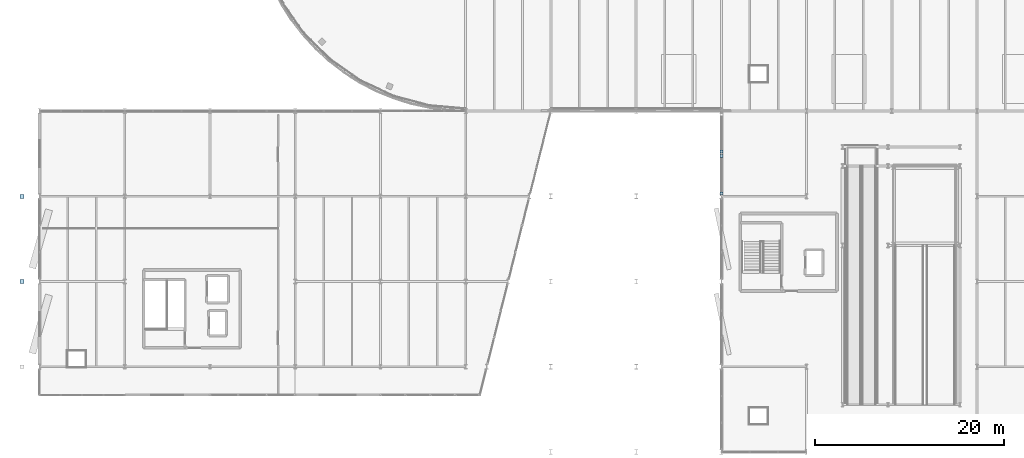
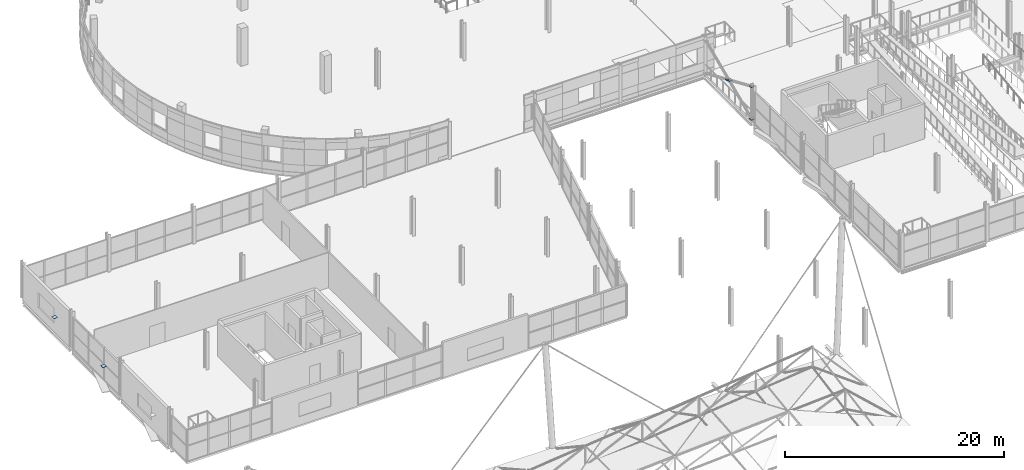
# One storey, part 107 of 132: 6 plates.
"""IFC4 building model written with IfcOpenShell, lengths in metres."""

from ifc_helpers import new_model, si_unit, direction, frame, origin, origin_2d, place, context, subcontext, project, spatial, rectangle, extrude, material, layer, layer_set, type_object, element, save


model = new_model("IFC4")

# Units and contexts
model_context = context("Model", 3, precision=1e-05, world=origin(), true_north=direction((0.0, 1.0)))
body_context = subcontext(model_context, "Body", "Model", "MODEL_VIEW")
ifc_project = project(units=[si_unit("LENGTHUNIT", "METRE"), si_unit("AREAUNIT", "SQUARE_METRE"), si_unit("VOLUMEUNIT", "CUBIC_METRE"), si_unit("PLANEANGLEUNIT", "RADIAN"), si_unit("MASSUNIT", "GRAM", prefix="KILO")], contexts=[model_context])

# Site, building, storey
site_placement = place(None, origin())
site = spatial("IfcSite", under=ifc_project, at=site_placement, CompositionType="ELEMENT")
building_placement = place(site_placement, origin())
building = spatial("IfcBuilding", under=site, at=building_placement, Name="Deido Ridge Mobility Hub", CompositionType="ELEMENT")
storey_placement = place(building_placement, frame((0.0, 0.0, 8.39990234375)))
storey = spatial("IfcBuildingStorey", under=building, at=storey_placement, Name="L02", CompositionType="ELEMENT", Elevation=8.39990234375)

# Plates
ifc_material = material(Name="Steel S355J2 EN 10025-2", Category="steel")
ifc_layer_1 = layer(ifc_material, 0.02197265625, Name="Steel S355J2 EN 10025-2")
ifc_layer_set_1 = layer_set([ifc_layer_1], Name="Steel S355J2 EN 10025-2")
plate_type_1 = type_object("IfcPlateType", Name="PLT-CAP-22", PredefinedType="USERDEFINED", material=ifc_layer_set_1)
for number, where, z_axis, x_axis, name in (
    (1, (72.0, 72.300048828125, 0.169189453125), (0.0, 0.0, 1.0), (1.0, 0.0, 0.0), "Brace sealed end-cap plate EC2 50"),
    (2, (72.0, 72.300048828125, 3.80908203125), (0.0, 0.0, 1.0), (1.0, 0.0, 0.0), "Brace sealed end-cap plate EC2 53"),
    (3, (72.0, 76.72021484375, 1.893798828125), (0.0, 0.0, 1.0), (1.0, 0.0, 0.0), "Brace sealed end-cap plate EC2 54"),
    (4, (72.0, 76.27978515625, 2.08447265625), (0.0, 0.0, 1.0), (1.0, 0.0, 0.0), "Brace sealed end-cap plate EC2 55"),
):
    element("IfcPlate", number, at=place(storey_placement, frame(where, z_axis=z_axis, x_axis=x_axis)), inside=storey, type_object=plate_type_1, Name=name, ObjectType="END CAP PLATE", PredefinedType="USERDEFINED", context=body_context, shape_type="SweptSolid", body=[
        extrude(rectangle(XDim=0.320068359375, YDim=0.320068359375, at=origin_2d()), origin(), (0.0, 0.0, 1.0), 0.02197265625),
    ])
ifc_layer_2 = layer(ifc_material, 0.02490234375, Name="Steel S355J2 EN 10025-2")
ifc_layer_set_2 = layer_set([ifc_layer_2], Name="Steel S355J2 EN 10025-2")
plate_type_2 = type_object("IfcPlateType", Name="PLT-CAP-25", PredefinedType="USERDEFINED", material=ifc_layer_set_2)
for number, where, z_axis, x_axis, name in (
    (5, (-1.85009765625, 63.0, 4.0576171875), (0.0, 0.0, 1.0), (1.0, 0.0, 0.0), "Exoskeleton node cap plate EC3 122"),
    (6, (-1.85009765625, 72.0, 4.0576171875), (0.0, 0.0, 1.0), (1.0, 0.0, 0.0), "Exoskeleton node cap plate EC3 125"),
):
    element("IfcPlate", number, at=place(storey_placement, frame(where, z_axis=z_axis, x_axis=x_axis)), inside=storey, type_object=plate_type_2, Name=name, ObjectType="END CAP PLATE", PredefinedType="USERDEFINED", context=body_context, shape_type="SweptSolid", body=[
        extrude(rectangle(XDim=0.419921875, YDim=0.419921875, at=origin_2d()), origin(), (0.0, 0.0, 1.0), 0.02490234375),
    ])

save(model, "model.ifc")
